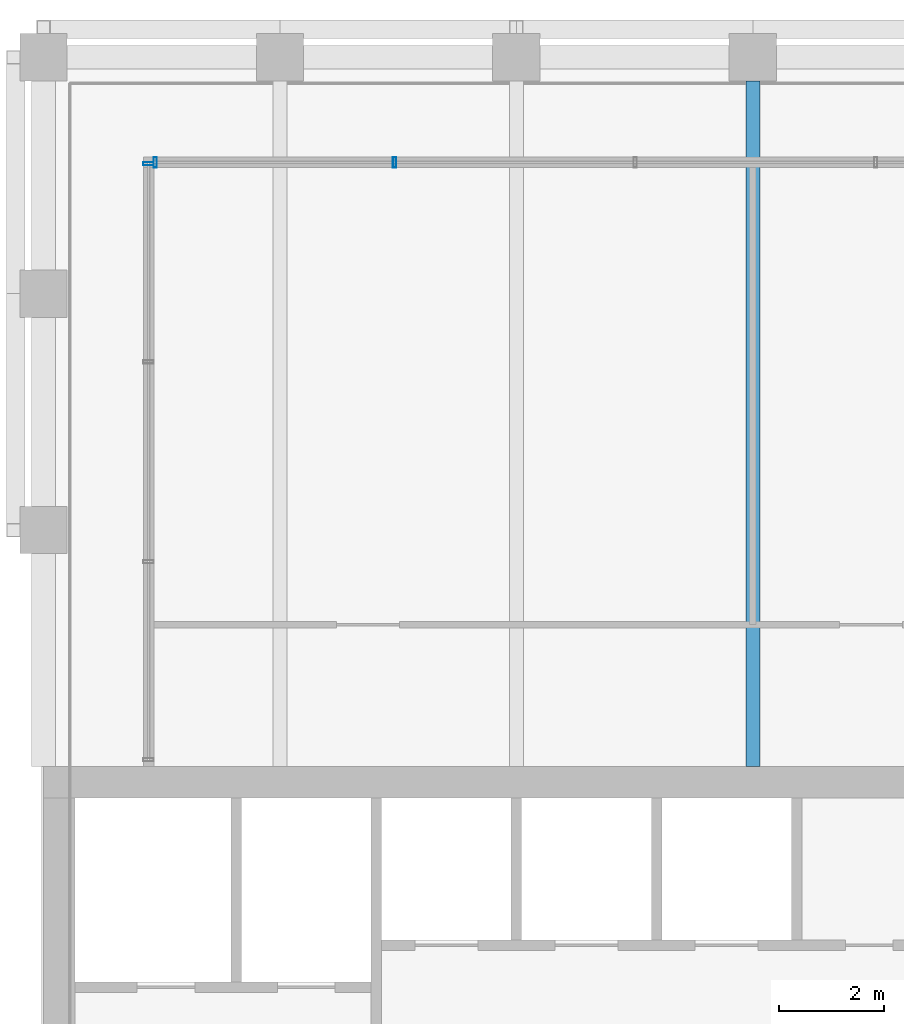
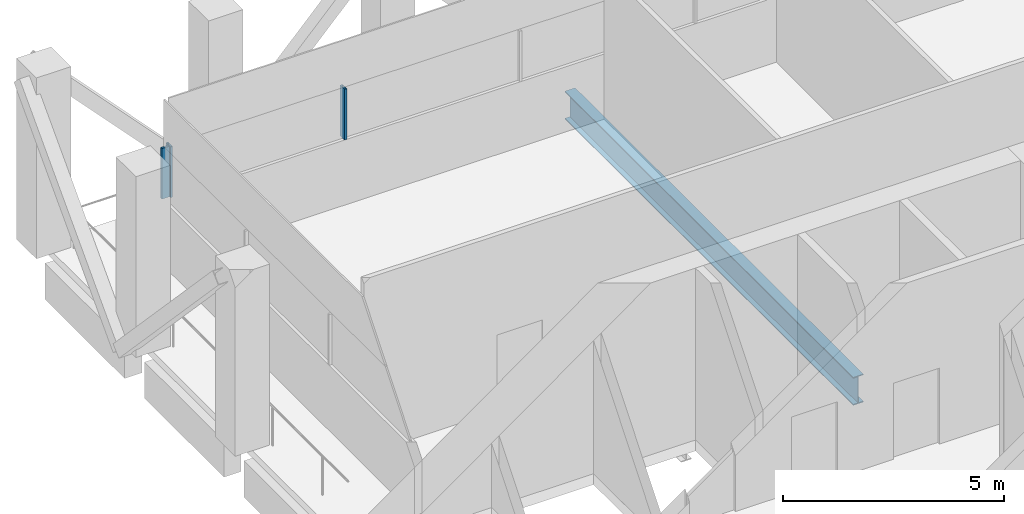
# One storey, part 16 of 34: 3 members, 1 beam, 2 elements without a shape of their own.
"""IFC4 building model written with IfcOpenShell, lengths in metres."""

from ifc_helpers import new_model, si_unit, direction, frame, origin, origin_2d, place, context, subcontext, project, spatial, hollow_rectangle, i_section, extrude, material, material_profile, profile_set, type_object, element, aggregate, save


model = new_model("IFC4")

# Units and contexts
model_context = context("Model", 3, precision=1e-05, world=origin(), true_north=direction((0.0, 1.0)))
body_context = subcontext(model_context, "Body", "Model", "MODEL_VIEW")
ifc_project = project(units=[si_unit("LENGTHUNIT", "METRE"), si_unit("AREAUNIT", "SQUARE_METRE"), si_unit("VOLUMEUNIT", "CUBIC_METRE"), si_unit("PLANEANGLEUNIT", "RADIAN"), si_unit("MASSUNIT", "GRAM", prefix="KILO")], contexts=[model_context])

# Site, building, storey
site_placement = place(None, origin())
site = spatial("IfcSite", under=ifc_project, at=site_placement, CompositionType="ELEMENT")
building_placement = place(site_placement, origin())
building = spatial("IfcBuilding", under=site, at=building_placement, Name="Altepetl Exchange Towers", CompositionType="ELEMENT")
storey_placement = place(building_placement, frame((0.0, 0.0, 190.60009765625)))
storey = spatial("IfcBuildingStorey", under=building, at=storey_placement, Name="L48 Refuge", CompositionType="ELEMENT", Elevation=190.60009765625)

# Beam
ifc_material_1 = material(Name="Steel S355", Category="steel")
ifc_material_profile_1 = material_profile(ifc_material_1, i_section(OverallWidth=0.26806640625, OverallDepth=0.77392578125, WebThickness=0.015380859375, FlangeThickness=0.025390625, at=origin_2d()), Name="W30X132")
ifc_profile_set_1 = profile_set([ifc_material_profile_1], Name="Steel S355")
beam_type = type_object("IfcBeamType", Name="Floor beam W30X132", PredefinedType="BEAM", material=ifc_profile_set_1)
beam_placement = place(storey_placement, frame((54.0, 58.5, -0.587158203125), z_axis=(0.0, 1.0, 0.0), x_axis=(-1.0, 0.0, 0.0)))
element("IfcBeam", 1, at=beam_placement, inside=storey, type_object=beam_type, Name="bm:A:L48:002", PredefinedType="BEAM", context=body_context, shape_type="SweptSolid", body=[
    extrude(i_section(OverallWidth=0.26806640625, OverallDepth=0.77392578125, WebThickness=0.015380859375, FlangeThickness=0.025390625, at=origin_2d()), origin(), (0.0, 0.0, 1.0), 13.050048828125),
])

# Curtain wall, members
ifc_material_2 = material(Name="Aluminium 6063-T6 glazing", Category="aluminium")
curtain_wall_type = type_object("IfcCurtainWallType", Name="Refuge slit glazing system", PredefinedType="NOTDEFINED", material=ifc_material_2)
curtain_wall_1_placement = place(storey_placement, origin())
curtain_wall_1 = element("IfcCurtainWall", 2, at=curtain_wall_1_placement, inside=storey, type_object=curtain_wall_type, Name="CW3 run", PredefinedType="NOTDEFINED")
ifc_material_3 = material(Name="Aluminium 6063-T6", Category="aluminium")
ifc_material_profile_2 = material_profile(ifc_material_3, hollow_rectangle(XDim=0.06005859375, YDim=0.199951171875, WallThickness=0.0029296875, at=origin_2d()), Name="Mullion 60x200 aluminium")
ifc_profile_set_2 = profile_set([ifc_material_profile_2], Name="Aluminium 6063-T6")
member_type = type_object("IfcMemberType", Name="Mullion 60x200 aluminium", PredefinedType="MULLION", material=ifc_profile_set_2)
member_1_placement = place(storey_placement, frame((47.179931640625, 70.0, 1.7998046875), z_axis=(0.0, 0.0, 1.0), x_axis=(-1.0, 0.0, 0.0)))
member_1 = element("IfcMember", 3, at=member_1_placement, type_object=member_type, Name="MU2 mullion", PredefinedType="MULLION", context=body_context, shape_type="SweptSolid", body=[
    extrude(hollow_rectangle(XDim=0.06005859375, YDim=0.199951171875, WallThickness=0.0029296875, at=origin_2d()), origin(), (0.0, 0.0, 1.0), 1.400146484375),
])
member_2_placement = place(storey_placement, frame((42.6298828125, 70.0, 1.7998046875), z_axis=(0.0, 0.0, 1.0), x_axis=(-1.0, 0.0, 0.0)))
member_2 = element("IfcMember", 4, at=member_2_placement, type_object=member_type, Name="MU2 mullion", PredefinedType="MULLION", context=body_context, shape_type="SweptSolid", body=[
    extrude(hollow_rectangle(XDim=0.06005859375, YDim=0.199951171875, WallThickness=0.0029296875, at=origin_2d()), origin(), (0.0, 0.0, 1.0), 1.400146484375),
])
aggregate(curtain_wall_1, [member_1, member_2])

# Curtain wall, member
curtain_wall_2_placement = place(storey_placement, origin())
curtain_wall_2 = element("IfcCurtainWall", 5, at=curtain_wall_2_placement, inside=storey, type_object=curtain_wall_type, Name="CW3 run", PredefinedType="NOTDEFINED")
member_3_placement = place(storey_placement, frame((42.5, 69.969970703125, 1.7998046875), z_axis=(0.0, 0.0, 1.0), x_axis=(0.0, -1.0, 0.0)))
member_3 = element("IfcMember", 6, at=member_3_placement, type_object=member_type, Name="MU2 mullion", PredefinedType="MULLION", context=body_context, shape_type="SweptSolid", body=[
    extrude(hollow_rectangle(XDim=0.06005859375, YDim=0.199951171875, WallThickness=0.0029296875, at=origin_2d()), origin(), (0.0, 0.0, 1.0), 1.400146484375),
])
aggregate(curtain_wall_2, [member_3])

save(model, "model.ifc")
